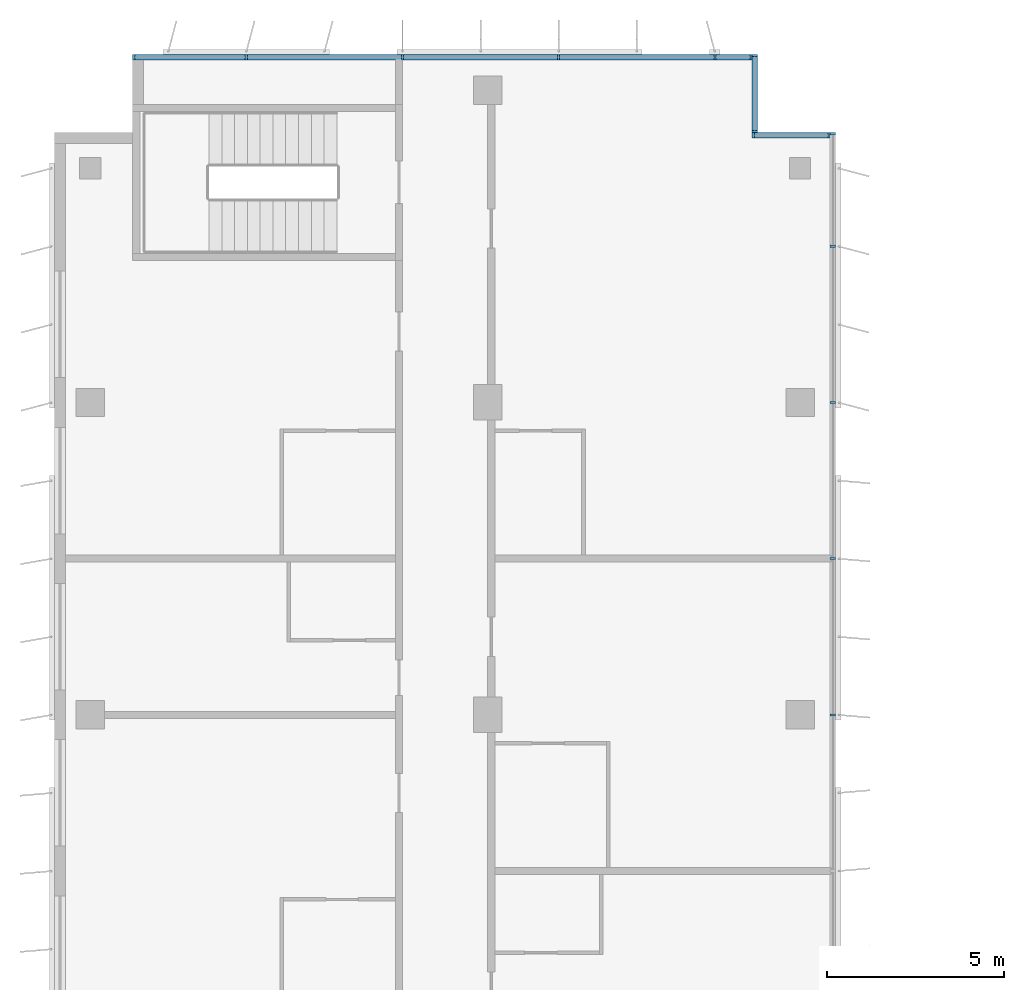
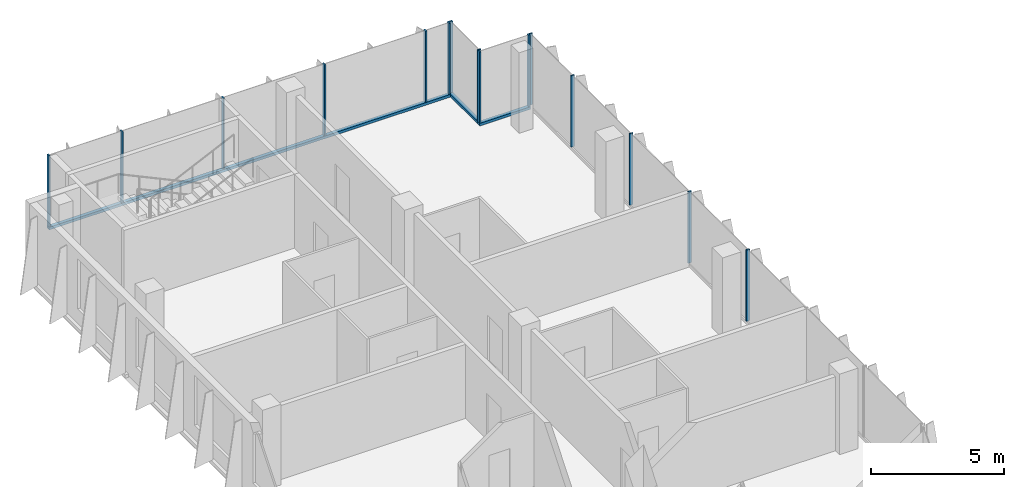
# One storey, part 6 of 16: 18 members, 4 elements without a shape of their own.
"""IFC4 building model written with IfcOpenShell, lengths in metres."""

import ifcopenshell
import ifcopenshell.guid

model = None  # the IFC model being written
_history = None  # IfcOwnerHistory: only IFC2X3 demands one
_inside = {}  # id of a spatial element -> (the spatial element, [elements in it])
_under = {}  # id of a project, library or spatial element -> (it, [spatial elements below it])
_declared = {}  # id of a project -> (the project, [libraries it declares])
_typed = {}  # id of a type object -> (the type object, [elements of that type])
_made_of = {}  # id of a material, layer set ... -> (it, [elements and type objects made of it])


def new_model(schema):
    """Start an empty IFC model of exactly this schema.

    Asked for "IFC4X3", IfcOpenShell would pick the latest addendum, in which some entities
    have other attributes; the version numbers below select the first issue.
    IFC2X3 requires an IfcOwnerHistory on every rooted entity: one is made here for all.
    """
    global model, _history
    if schema == "IFC4X3":
        model = ifcopenshell.file(schema_version=(4, 3, 0, 0))
    else:
        model = ifcopenshell.file(schema=schema)
    _inside.clear()
    _under.clear()
    _declared.clear()
    _typed.clear()
    _made_of.clear()
    _history = None
    if model.schema == "IFC2X3":
        org = make("IfcOrganization", Name="unknown")
        user = make(
            "IfcPersonAndOrganization",
            ThePerson=make("IfcPerson", FamilyName="unknown"),
            TheOrganization=org,
        )
        app = make(
            "IfcApplication",
            ApplicationDeveloper=org,
            Version="unknown",
            ApplicationFullName="unknown",
            ApplicationIdentifier="unknown",
        )
        _history = make(
            "IfcOwnerHistory",
            OwningUser=user,
            OwningApplication=app,
            ChangeAction="ADDED",
            CreationDate=0,
        )
    return model


def make(cls, **values):
    """One entity of the class cls with the attributes given. An attribute that is None is left unset."""
    return model.create_entity(
        cls, **{name: value for name, value in values.items() if value is not None}
    )


def rooted(cls, **values):
    """An entity with a GlobalId (a new one), such as an element, a storey or a relation."""
    return make(cls, GlobalId=ifcopenshell.guid.new(), OwnerHistory=_history, **values)


def si_unit(unit_type, name, prefix=None):
    """IfcSIUnit, for example si_unit("LENGTHUNIT", "METRE", prefix="MILLI")."""
    return make("IfcSIUnit", UnitType=unit_type, Prefix=prefix, Name=name)


def assignment(units):
    """IfcUnitAssignment: the units of a project."""
    return None if units is None else make("IfcUnitAssignment", Units=units)


def point(xyz):
    """IfcCartesianPoint."""
    return None if xyz is None else make("IfcCartesianPoint", Coordinates=xyz)


def direction(xyz):
    """IfcDirection."""
    return None if xyz is None else make("IfcDirection", DirectionRatios=xyz)


def frame(location, z_axis=None, x_axis=None):
    """IfcAxis2Placement3D, a coordinate frame: its origin and axes. An axis left out is left unset."""
    return make(
        "IfcAxis2Placement3D",
        Location=point(location),
        Axis=direction(z_axis),
        RefDirection=direction(x_axis),
    )


def frame_2d(location, x_axis=None):
    """IfcAxis2Placement2D, a coordinate frame in the plane: its origin and x axis."""
    return make(
        "IfcAxis2Placement2D", Location=point(location), RefDirection=direction(x_axis)
    )


def origin():
    """The frame at (0, 0, 0) with its axes left unset."""
    return frame((0.0, 0.0, 0.0))


def origin_2d():
    """The frame at (0, 0) in the plane with its x axis left unset."""
    return frame_2d((0.0, 0.0))


def place(relative_to, where):
    """IfcLocalPlacement: puts the frame where relative to a parent placement (None: the world)."""
    return make(
        "IfcLocalPlacement", PlacementRelTo=relative_to, RelativePlacement=where
    )


def context(
    kind, dimensions, precision=None, world=None, true_north=None, identifier=None
):
    """IfcGeometricRepresentationContext, for example the 3D "Model" context."""
    return make(
        "IfcGeometricRepresentationContext",
        ContextIdentifier=identifier,
        ContextType=kind,
        CoordinateSpaceDimension=dimensions,
        Precision=precision,
        WorldCoordinateSystem=world,
        TrueNorth=true_north,
    )


def subcontext(parent, identifier, kind, view, scale=None):
    """IfcGeometricRepresentationSubContext, for example "Body" below "Model"."""
    return make(
        "IfcGeometricRepresentationSubContext",
        ContextIdentifier=identifier,
        ContextType=kind,
        ParentContext=parent,
        TargetScale=scale,
        TargetView=view,
    )


def project(units=None, contexts=None):
    """IfcProject with its units and contexts."""
    return rooted(
        "IfcProject",
        Name="project",
        RepresentationContexts=contexts,
        UnitsInContext=assignment(units),
    )


def spatial(cls, under=None, at=None, **own):
    """A site, building, storey or space (cls), placed at a placement, below another one or the project."""
    s = rooted(cls, ObjectPlacement=at, **own)
    if under is not None:
        _under.setdefault(under.id(), (under, []))[1].append(s)
    return s


def profile(cls, at=None, kind="AREA", **sizes):
    """A parametric profile (cls). Its sizes go by their IFC names, for example OverallWidth=200.0."""
    return make(cls, ProfileType=kind, Position=at, **sizes)


def rectangle(**sizes):
    """IfcRectangleProfileDef."""
    return profile("IfcRectangleProfileDef", **sizes)


def extrude(swept, where, along, depth):
    """IfcExtrudedAreaSolid: the profile swept, set in the frame where, extruded along a direction by depth."""
    return make(
        "IfcExtrudedAreaSolid",
        SweptArea=swept,
        Position=where,
        ExtrudedDirection=direction(along),
        Depth=depth,
    )


def shape(context_of_items, identifier, shape_type, items):
    """IfcShapeRepresentation: the items that make up one representation, for example the "Body"."""
    return make(
        "IfcShapeRepresentation",
        ContextOfItems=context_of_items,
        RepresentationIdentifier=identifier,
        RepresentationType=shape_type,
        Items=items,
    )


def source(mapping_origin, context_of_items, identifier, shape_type, items):
    """IfcRepresentationMap: a shape defined once, which mapped items show again and again."""
    return make(
        "IfcRepresentationMap",
        MappingOrigin=mapping_origin,
        MappedRepresentation=shape(context_of_items, identifier, shape_type, items),
    )


def transform(
    local_origin,
    x_axis=None,
    y_axis=None,
    z_axis=None,
    scale=None,
    scale2=None,
    scale3=None,
    uniform=True,
):
    """IfcCartesianTransformationOperator3D, or its non-uniform kind. x_axis, y_axis, z_axis: its Axis1, 2, 3."""
    if uniform:
        return make(
            "IfcCartesianTransformationOperator3D",
            Axis1=direction(x_axis),
            Axis2=direction(y_axis),
            LocalOrigin=point(local_origin),
            Scale=scale,
            Axis3=direction(z_axis),
        )
    return make(
        "IfcCartesianTransformationOperator3DnonUniform",
        Axis1=direction(x_axis),
        Axis2=direction(y_axis),
        LocalOrigin=point(local_origin),
        Scale=scale,
        Axis3=direction(z_axis),
        Scale2=scale2,
        Scale3=scale3,
    )


def mapped(mapping_source, mapping_target):
    """IfcMappedItem: shows the shape of a source again, moved by a transform."""
    return make(
        "IfcMappedItem", MappingSource=mapping_source, MappingTarget=mapping_target
    )


def material(Name=None, Category=None):
    """IfcMaterial."""
    return make("IfcMaterial", Name=Name, Category=Category)


def material_profile(
    of_material, cross_section, Name=None, Category=None, Priority=None
):
    """IfcMaterialProfile: a cross section and its material."""
    return make(
        "IfcMaterialProfile",
        Name=Name,
        Material=of_material,
        Profile=cross_section,
        Priority=Priority,
        Category=Category,
    )


def profile_set(profiles, Name=None, composite=None):
    """IfcMaterialProfileSet."""
    return make(
        "IfcMaterialProfileSet",
        Name=Name,
        MaterialProfiles=profiles,
        CompositeProfile=composite,
    )


def made_of(thing, what):
    """Note that an element or type object is made of a material, layer set ...; save() writes the relation."""
    if what is not None:
        _made_of.setdefault(what.id(), (what, []))[1].append(thing)
    return thing


def type_object(cls, material=None, **own):
    """A type object (cls), such as IfcWallType, which elements share."""
    return made_of(rooted(cls, **own), material)


def element(
    cls,
    number,
    at=None,
    inside=None,
    cuts=None,
    type_object=None,
    material=None,
    context=None,
    identifier="Body",
    shape_type=None,
    held_by="IfcProductDefinitionShape",
    body=None,
    shapes=None,
    **own,
):
    """One element of the class cls, such as IfcWall. Its Tag is "e" and its number.

    at: its placement. inside: the storey or other place that contains it. cuts: it is an
    opening in that element (IfcRelVoidsElement). A single representation is given by context,
    identifier, shape_type and body (its items); several are given by shapes. held_by: the class
    of the entity that holds the representations. save() writes the other relations.
    """
    e = rooted(cls, Tag="e%d" % number, ObjectPlacement=at, **own)
    if body is not None:
        shapes = [shape(context, identifier, shape_type, body)]
    if shapes is not None:
        e.Representation = make(held_by, Representations=shapes)
    if inside is not None:
        _inside.setdefault(inside.id(), (inside, []))[1].append(e)
    if cuts is not None:
        rooted(
            "IfcRelVoidsElement", RelatingBuildingElement=cuts, RelatedOpeningElement=e
        )
    if type_object is not None:
        _typed.setdefault(type_object.id(), (type_object, []))[1].append(e)
    return made_of(e, material)


def aggregate(whole, parts):
    """IfcRelAggregates: a whole, such as a stair, and the parts it consists of."""
    return rooted("IfcRelAggregates", RelatingObject=whole, RelatedObjects=parts)


def save(model, path):
    """Write the relations noted so far, then the file.

    IfcRelAggregates (storeys below a building ...), IfcRelContainedInSpatialStructure (elements
    in a storey), IfcRelDefinesByType, IfcRelAssociatesMaterial and IfcRelDeclares: one each for
    every whole, place, type object, material and project.
    """
    for whole, parts in _under.values():
        aggregate(whole, parts)
    for where, things in _inside.values():
        rooted(
            "IfcRelContainedInSpatialStructure",
            RelatedElements=things,
            RelatingStructure=where,
        )
    for kind, things in _typed.values():
        rooted("IfcRelDefinesByType", RelatedObjects=things, RelatingType=kind)
    for what, things in _made_of.values():
        rooted("IfcRelAssociatesMaterial", RelatedObjects=things, RelatingMaterial=what)
    for by, libraries in _declared.values():
        rooted("IfcRelDeclares", RelatingContext=by, RelatedDefinitions=libraries)
    model.write(path)


model = new_model("IFC4")

# Units and contexts
model_context = context("Model", 3, precision=1e-05, world=origin(), true_north=direction((0.0, 1.0)))
body_context = subcontext(model_context, "Body", "Model", "MODEL_VIEW")
ifc_project = project(units=[si_unit("LENGTHUNIT", "METRE"), si_unit("AREAUNIT", "SQUARE_METRE"), si_unit("VOLUMEUNIT", "CUBIC_METRE"), si_unit("PLANEANGLEUNIT", "RADIAN"), si_unit("MASSUNIT", "GRAM", prefix="KILO")], contexts=[model_context])

# Site, building, storey
site_placement = place(None, origin())
site = spatial("IfcSite", under=ifc_project, at=site_placement, CompositionType="ELEMENT")
building_placement = place(site_placement, origin())
building = spatial("IfcBuilding", under=site, at=building_placement, Name="Kemantara Hotel Tower", CompositionType="ELEMENT")
storey_placement = place(building_placement, frame((0.0, 0.0, 272.199951171875)))
storey = spatial("IfcBuildingStorey", under=building, at=storey_placement, Name="L68", CompositionType="ELEMENT", Elevation=272.199951171875)

# Curtain wall, member
ifc_material_1 = material(Name="Low-E tinted double insulated glass 36 mm", Category="glass")
curtain_wall_type = type_object("IfcCurtainWallType", Name="TOWER CURTAIN WALL, FRONT FACES", PredefinedType="USERDEFINED", material=ifc_material_1)
curtain_wall_1_placement = place(storey_placement, origin())
curtain_wall_1 = element("IfcCurtainWall", 1, at=curtain_wall_1_placement, inside=storey, type_object=curtain_wall_type, Name="CW4 L68 T4-R02-1", ObjectType="TOWER CURTAIN WALL, FRONT FACES", PredefinedType="USERDEFINED")
ifc_material_2 = material(Name="Aluminium 6063-T6 bronze anodised", Category="aluminium")
ifc_material_profile_1 = material_profile(ifc_material_2, rectangle(XDim=0.14990234375, YDim=0.1201171875, at=origin_2d()), Name="TOWER CURTAIN WALL, FRONT FACES TRANSOM")
ifc_profile_set_1 = profile_set([ifc_material_profile_1], Name="Aluminium 6063-T6 bronze anodised")
member_type_1 = type_object("IfcMemberType", Name="TOWER CURTAIN WALL, FRONT FACES TRANSOM", PredefinedType="USERDEFINED", material=ifc_profile_set_1)
member_1_placement = place(storey_placement, frame((19.64990234375, 63.52490234375, 0.06005859375), z_axis=(-1.0, 0.0, 0.0), x_axis=(0.0, -1.0, 0.0)))
member_1 = element("IfcMember", 2, at=member_1_placement, type_object=member_type_1, Name="CW4 sill transom T4-R02-1", ObjectType="TRANSOM", PredefinedType="USERDEFINED", context=body_context, shape_type="SweptSolid", body=[
    extrude(rectangle(XDim=0.14990234375, YDim=0.1201171875, at=origin_2d()), origin(), (0.0, 0.0, 1.0), 17.449951171875),
])

curtain_wall_2_placement = place(storey_placement, origin())
curtain_wall_2 = element("IfcCurtainWall", 3, at=curtain_wall_2_placement, inside=storey, type_object=curtain_wall_type, Name="CW4 L68 T4-R00-1", ObjectType="TOWER CURTAIN WALL, FRONT FACES", PredefinedType="USERDEFINED")
member_2_placement = place(storey_placement, frame((21.85009765625, 61.324951171875, 0.06005859375), z_axis=(-1.0, 0.0, 0.0), x_axis=(0.0, -1.0, 0.0)))
member_2 = element("IfcMember", 4, at=member_2_placement, type_object=member_type_1, Name="CW4 sill transom T4-R00-1", ObjectType="TRANSOM", PredefinedType="USERDEFINED", context=body_context, shape_type="SweptSolid", body=[
    extrude(rectangle(XDim=0.14990234375, YDim=0.1201171875, at=origin_2d()), origin(), (0.0, 0.0, 1.0), 2.2001953125),
])

curtain_wall_3_placement = place(storey_placement, origin())
curtain_wall_3 = element("IfcCurtainWall", 5, at=curtain_wall_3_placement, inside=storey, type_object=curtain_wall_type, Name="CW4 L68 T4-R01-1", ObjectType="TOWER CURTAIN WALL, FRONT FACES", PredefinedType="USERDEFINED")
member_3_placement = place(storey_placement, frame((19.72509765625, 61.39990234375, 0.06005859375), z_axis=(0.0, 1.0, 0.0), x_axis=(-1.0, 0.0, 0.0)))
member_3 = element("IfcMember", 6, at=member_3_placement, type_object=member_type_1, Name="CW4 sill transom T4-R01-1", ObjectType="TRANSOM", PredefinedType="USERDEFINED", context=body_context, shape_type="SweptSolid", body=[
    extrude(rectangle(XDim=0.14990234375, YDim=0.1201171875, at=origin_2d()), origin(), (0.0, 0.0, 1.0), 2.2001953125),
])

# Member
ifc_material_profile_2 = material_profile(ifc_material_2, rectangle(XDim=0.14990234375, YDim=0.06005859375, at=origin_2d()), Name="TOWER CURTAIN WALL, FRONT FACES MULLION")
ifc_profile_set_2 = profile_set([ifc_material_profile_2], Name="Aluminium 6063-T6 bronze anodised")
member_type_2 = type_object("IfcMemberType", Name="TOWER CURTAIN WALL, FRONT FACES MULLION", PredefinedType="MULLION", material=ifc_profile_set_2)
shared_shape = source(origin(), body_context, "Body", "SweptSolid", [
    extrude(rectangle(XDim=0.14990234375, YDim=0.06005859375, at=origin_2d()), origin(), (0.0, 0.0, 1.0), 3.280029296875),
])
member_4_placement = place(storey_placement, frame((19.6201171875, 63.52490234375, 0.1201171875), z_axis=(0.0, 0.0, 1.0), x_axis=(0.0, -1.0, 0.0)))
member_4 = element("IfcMember", 7, at=member_4_placement, type_object=member_type_2, Name="CW4 mullion T4-R02-1.1", PredefinedType="MULLION", context=body_context, shape_type="MappedRepresentation", body=[
    mapped(shared_shape, transform((0.0, 0.0, 0.0))),
])

member_5_placement = place(storey_placement, frame((18.60009765625, 63.52490234375, 0.1201171875), z_axis=(0.0, 0.0, 1.0), x_axis=(0.0, -1.0, 0.0)))
member_5 = element("IfcMember", 8, at=member_5_placement, type_object=member_type_2, Name="CW4 mullion T4-R02-1.2", PredefinedType="MULLION", context=body_context, shape_type="MappedRepresentation", body=[
    mapped(shared_shape, transform((0.0, 0.0, 0.0))),
])

member_6_placement = place(storey_placement, frame((14.199951171875, 63.52490234375, 0.1201171875), z_axis=(0.0, 0.0, 1.0), x_axis=(0.0, -1.0, 0.0)))
member_6 = element("IfcMember", 9, at=member_6_placement, type_object=member_type_2, Name="CW4 mullion T4-R02-1.3", PredefinedType="MULLION", context=body_context, shape_type="MappedRepresentation", body=[
    mapped(shared_shape, transform((0.0, 0.0, 0.0))),
])

member_7_placement = place(storey_placement, frame((9.800048828125, 63.52490234375, 0.1201171875), z_axis=(0.0, 0.0, 1.0), x_axis=(0.0, -1.0, 0.0)))
member_7 = element("IfcMember", 10, at=member_7_placement, type_object=member_type_2, Name="CW4 mullion T4-R02-1.4", PredefinedType="MULLION", context=body_context, shape_type="MappedRepresentation", body=[
    mapped(shared_shape, transform((0.0, 0.0, 0.0))),
])

member_8_placement = place(storey_placement, frame((5.39990234375, 63.52490234375, 0.1201171875), z_axis=(0.0, 0.0, 1.0), x_axis=(0.0, -1.0, 0.0)))
member_8 = element("IfcMember", 11, at=member_8_placement, type_object=member_type_2, Name="CW4 mullion T4-R02-1.5", PredefinedType="MULLION", context=body_context, shape_type="MappedRepresentation", body=[
    mapped(shared_shape, transform((0.0, 0.0, 0.0))),
])

member_9_placement = place(storey_placement, frame((2.22998046875, 63.52490234375, 0.1201171875), z_axis=(0.0, 0.0, 1.0), x_axis=(0.0, -1.0, 0.0)))
member_9 = element("IfcMember", 12, at=member_9_placement, type_object=member_type_2, Name="CW4 mullion T4-R02-1.6", PredefinedType="MULLION", context=body_context, shape_type="MappedRepresentation", body=[
    mapped(shared_shape, transform((0.0, 0.0, 0.0))),
])

aggregate(curtain_wall_1, [member_1, member_4, member_5, member_6, member_7, member_8, member_9])

# Curtain wall, members
curtain_wall_4_placement = place(storey_placement, origin())
curtain_wall_4 = element("IfcCurtainWall", 13, at=curtain_wall_4_placement, inside=storey, type_object=curtain_wall_type, Name="CW4 L68 T4-R15-1", ObjectType="TOWER CURTAIN WALL, FRONT FACES", PredefinedType="USERDEFINED")
member_10_placement = place(storey_placement, frame((21.925048828125, 45.0, 0.1201171875), z_axis=(0.0, 0.0, 1.0), x_axis=(-1.0, 0.0, 0.0)))
member_10 = element("IfcMember", 14, at=member_10_placement, type_object=member_type_2, Name="CW4 mullion T4-R15-1.6", PredefinedType="MULLION", context=body_context, shape_type="MappedRepresentation", body=[
    mapped(shared_shape, transform((0.0, 0.0, 0.0))),
])
member_11_placement = place(storey_placement, frame((21.925048828125, 49.39990234375, 0.1201171875), z_axis=(0.0, 0.0, 1.0), x_axis=(-1.0, 0.0, 0.0)))
member_11 = element("IfcMember", 15, at=member_11_placement, type_object=member_type_2, Name="CW4 mullion T4-R15-1.7", PredefinedType="MULLION", context=body_context, shape_type="MappedRepresentation", body=[
    mapped(shared_shape, transform((0.0, 0.0, 0.0))),
])
member_12_placement = place(storey_placement, frame((21.925048828125, 53.800048828125, 0.1201171875), z_axis=(0.0, 0.0, 1.0), x_axis=(-1.0, 0.0, 0.0)))
member_12 = element("IfcMember", 16, at=member_12_placement, type_object=member_type_2, Name="CW4 mullion T4-R15-1.8", PredefinedType="MULLION", context=body_context, shape_type="MappedRepresentation", body=[
    mapped(shared_shape, transform((0.0, 0.0, 0.0))),
])
member_13_placement = place(storey_placement, frame((21.925048828125, 58.199951171875, 0.1201171875), z_axis=(0.0, 0.0, 1.0), x_axis=(-1.0, 0.0, 0.0)))
member_13 = element("IfcMember", 17, at=member_13_placement, type_object=member_type_2, Name="CW4 mullion T4-R15-1.9", PredefinedType="MULLION", context=body_context, shape_type="MappedRepresentation", body=[
    mapped(shared_shape, transform((0.0, 0.0, 0.0))),
])
member_14_placement = place(storey_placement, frame((21.925048828125, 61.3701171875, 0.1201171875), z_axis=(0.0, 0.0, 1.0), x_axis=(-1.0, 0.0, 0.0)))
member_14 = element("IfcMember", 18, at=member_14_placement, type_object=member_type_2, Name="CW4 mullion T4-R15-1.10", PredefinedType="MULLION", context=body_context, shape_type="MappedRepresentation", body=[
    mapped(shared_shape, transform((0.0, 0.0, 0.0))),
])
aggregate(curtain_wall_4, [member_10, member_11, member_12, member_13, member_14])

# Member
member_15_placement = place(storey_placement, frame((21.820068359375, 61.324951171875, 0.1201171875), z_axis=(0.0, 0.0, 1.0), x_axis=(0.0, -1.0, 0.0)))
member_15 = element("IfcMember", 19, at=member_15_placement, type_object=member_type_2, Name="CW4 mullion T4-R00-1.1", PredefinedType="MULLION", context=body_context, shape_type="MappedRepresentation", body=[
    mapped(shared_shape, transform((0.0, 0.0, 0.0))),
])

member_16_placement = place(storey_placement, frame((19.679931640625, 61.324951171875, 0.1201171875), z_axis=(0.0, 0.0, 1.0), x_axis=(0.0, -1.0, 0.0)))
member_16 = element("IfcMember", 20, at=member_16_placement, type_object=member_type_2, Name="CW4 mullion T4-R00-1.2", PredefinedType="MULLION", context=body_context, shape_type="MappedRepresentation", body=[
    mapped(shared_shape, transform((0.0, 0.0, 0.0))),
])

aggregate(curtain_wall_2, [member_2, member_15, member_16])

member_17_placement = place(storey_placement, frame((19.72509765625, 61.429931640625, 0.1201171875), z_axis=(0.0, 0.0, 1.0), x_axis=(-1.0, 0.0, 0.0)))
member_17 = element("IfcMember", 21, at=member_17_placement, type_object=member_type_2, Name="CW4 mullion T4-R01-1.1", PredefinedType="MULLION", context=body_context, shape_type="MappedRepresentation", body=[
    mapped(shared_shape, transform((0.0, 0.0, 0.0))),
])

member_18_placement = place(storey_placement, frame((19.72509765625, 63.570068359375, 0.1201171875), z_axis=(0.0, 0.0, 1.0), x_axis=(-1.0, 0.0, 0.0)))
member_18 = element("IfcMember", 22, at=member_18_placement, type_object=member_type_2, Name="CW4 mullion T4-R01-1.2", PredefinedType="MULLION", context=body_context, shape_type="MappedRepresentation", body=[
    mapped(shared_shape, transform((0.0, 0.0, 0.0))),
])

aggregate(curtain_wall_3, [member_3, member_17, member_18])

save(model, "model.ifc")
